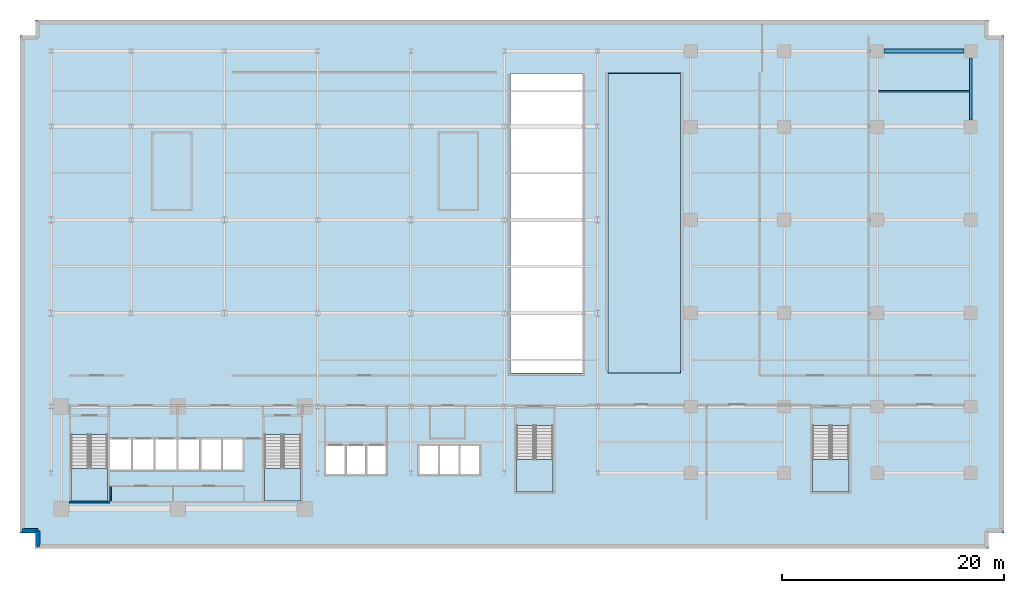
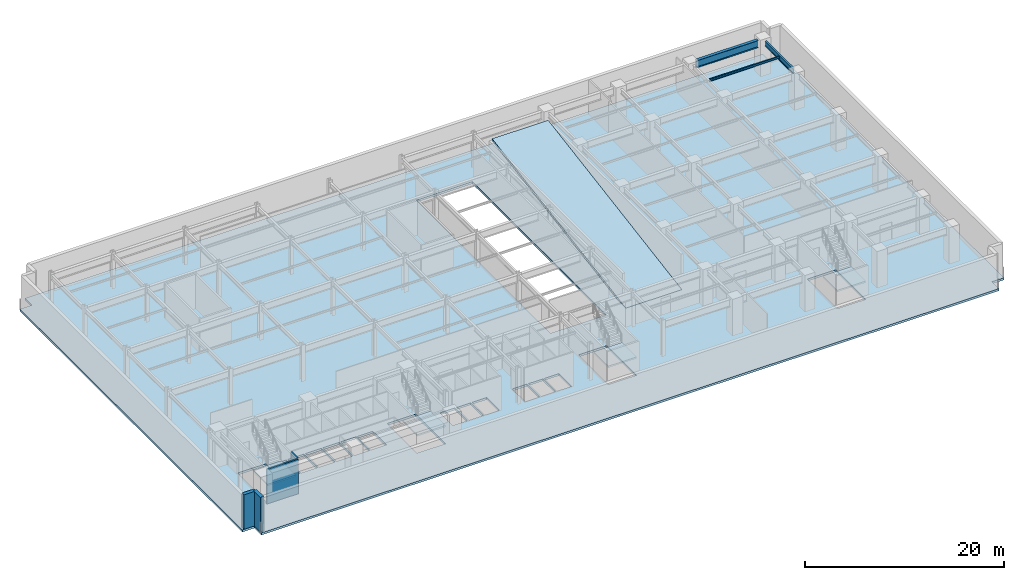
# One storey, part 5 of 14: 6 slabs, 4 walls, 3 beams, 4 elements without a shape of their own.
"""IFC4 building model written with IfcOpenShell, lengths in metres."""

from ifc_helpers import new_model, si_unit, direction, frame, frame_2d, origin, origin_2d, place, context, subcontext, project, spatial, polyline, rectangle, i_section, outline, extrude, material, layer, layer_set, material_profile, profile_set, type_object, element, aggregate, save


model = new_model("IFC4")

# Units and contexts
model_context = context("Model", 3, precision=1e-05, world=origin(), true_north=direction((0.0, 1.0)))
body_context = subcontext(model_context, "Body", "Model", "MODEL_VIEW")
ifc_project = project(units=[si_unit("LENGTHUNIT", "METRE"), si_unit("AREAUNIT", "SQUARE_METRE"), si_unit("VOLUMEUNIT", "CUBIC_METRE"), si_unit("PLANEANGLEUNIT", "RADIAN"), si_unit("MASSUNIT", "GRAM", prefix="KILO")], contexts=[model_context])

# Site, building, storey
site_placement = place(None, origin())
site = spatial("IfcSite", under=ifc_project, at=site_placement, CompositionType="ELEMENT")
building_placement = place(site_placement, origin())
building = spatial("IfcBuilding", under=site, at=building_placement, Name="Varnakote Quay Hospital", CompositionType="ELEMENT")
storey_placement = place(building_placement, frame((0.0, 0.0, -4.5)))
storey = spatial("IfcBuildingStorey", under=building, at=storey_placement, Name="B01", CompositionType="ELEMENT", Elevation=-4.5)

# Beams
ifc_material_1 = material(Name="Structural steel AS/NZS 3679.1 Grade 350 L0 (fy 340 MPa)", Category="steel")
ifc_material_profile_1 = material_profile(ifc_material_1, i_section(OverallWidth=0.22802734375, OverallDepth=0.60205078125, WebThickness=0.010498046875, FlangeThickness=0.014892578125, FilletRadius=0.013916015625, at=origin_2d()), Name="610UB101")
ifc_profile_set_1 = profile_set([ifc_material_profile_1], Name="Structural steel AS/NZS 3679.1 Grade 350 L0 (fy 340 MPa)")
beam_type_1 = type_object("IfcBeamType", Name="BM-STL-610UB101", PredefinedType="BEAM", material=ifc_profile_set_1)
beam_1_placement = place(storey_placement, frame((84.0, 37.800048828125, 3.948974609375), z_axis=(0.0, 1.0, 0.0), x_axis=(-1.0, 0.0, 0.0)))
element("IfcBeam", 1, at=beam_1_placement, inside=storey, type_object=beam_type_1, Name="B01 Primary Tie Beam", PredefinedType="BEAM", context=body_context, shape_type="SweptSolid", body=[
    extrude(i_section(OverallWidth=0.22802734375, OverallDepth=0.60205078125, WebThickness=0.010498046875, FlangeThickness=0.014892578125, FilletRadius=0.013916015625, at=origin_2d()), origin(), (0.0, 0.0, 1.0), 5.599853515625),
])
ifc_material_2 = material(Name="Structural steel AS/NZS 3678 Grade 350 (fy 340 MPa)", Category="steel")
ifc_material_profile_2 = material_profile(ifc_material_2, i_section(OverallWidth=0.35009765625, OverallDepth=0.909912109375, WebThickness=0.011962890625, FlangeThickness=0.02490234375, at=origin_2d()), Name="900WB218")
ifc_profile_set_2 = profile_set([ifc_material_profile_2], Name="Structural steel AS/NZS 3678 Grade 350 (fy 340 MPa)")
beam_type_2 = type_object("IfcBeamType", Name="BM-STL-900WB218", PredefinedType="BEAM", material=ifc_profile_set_2)
beam_2_placement = place(storey_placement, frame((76.199951171875, 44.0, 3.794921875), z_axis=(1.0, 0.0, 0.0), x_axis=(0.0, 1.0, 0.0)))
element("IfcBeam", 2, at=beam_2_placement, inside=storey, type_object=beam_type_2, Name="B01 Primary Floor Beam", PredefinedType="BEAM", context=body_context, shape_type="SweptSolid", body=[
    extrude(i_section(OverallWidth=0.35009765625, OverallDepth=0.909912109375, WebThickness=0.011962890625, FlangeThickness=0.02490234375, at=origin_2d()), origin(), (0.0, 0.0, 1.0), 7.199951171875),
])
ifc_material_3 = material(Name="Structural steel AS/NZS 3679.1 Grade 350 L0 (fy 340 MPa)", Category="steel")
ifc_material_profile_3 = material_profile(ifc_material_3, i_section(OverallWidth=0.14599609375, OverallDepth=0.256103515625, WebThickness=0.00634765625, FlangeThickness=0.010986328125, FilletRadius=0.0087890625, at=origin_2d()), Name="250UB37.3")
ifc_profile_set_3 = profile_set([ifc_material_profile_3], Name="Structural steel AS/NZS 3679.1 Grade 350 L0 (fy 340 MPa)")
beam_type_3 = type_object("IfcBeamType", Name="JST-STL-250UB37-3", PredefinedType="JOIST", material=ifc_profile_set_3)
beam_3_placement = place(storey_placement, frame((75.714111328125, 40.39990234375, 4.1220703125), z_axis=(1.0, 0.0, 0.0), x_axis=(0.0, 1.0, 0.0)))
element("IfcBeam", 3, at=beam_3_placement, inside=storey, type_object=beam_type_3, Name="B01 Composite Floor Joist", PredefinedType="JOIST", context=body_context, shape_type="SweptSolid", body=[
    extrude(i_section(OverallWidth=0.14599609375, OverallDepth=0.256103515625, WebThickness=0.00634765625, FlangeThickness=0.010986328125, FilletRadius=0.0087890625, at=origin_2d()), origin(), (0.0, 0.0, 1.0), 8.171875),
])

# Slabs
ifc_material_4 = material(Name="Concrete N50 (f'c 50 MPa)", Category="concrete")
ifc_layer_1 = layer(ifc_material_4, 0.260009765625)
ifc_layer_set_1 = layer_set([ifc_layer_1], Name="Concrete N50 (f'c 50 MPa)")
slab_type_1 = type_object("IfcSlabType", Name="SLB-BSMT-260", PredefinedType="FLOOR", material=ifc_layer_set_1)
slab_1_placement = place(storey_placement, frame((0.0, 0.0, -0.260009765625)))
element("IfcSlab", 4, at=slab_1_placement, inside=storey, type_object=slab_type_1, Name="B01 Primary Floor Slab", PredefinedType="FLOOR", context=body_context, shape_type="SweptSolid", body=[
    extrude(outline(polyline([(-1.60009765625, 0.60009765625), (-0.199951171875, 0.60009765625), (-0.199951171875, -0.800048828125), (85.60009765625, -0.800048828125), (85.60009765625, 0.60009765625), (87.0, 0.60009765625), (87.0, 45.39990234375), (85.60009765625, 45.39990234375), (85.60009765625, 46.800048828125), (-0.199951171875, 46.800048828125), (-0.199951171875, 45.39990234375), (-1.60009765625, 45.39990234375), (-1.60009765625, 0.60009765625)]), holes=[polyline([(3.0, 3.5), (6.300048828125, 3.5), (6.300048828125, 9.49951171875), (3.0, 9.49951171875), (3.0, 3.5)]), polyline([(20.39990234375, 3.5), (23.699951171875, 3.5), (23.699951171875, 9.49951171875), (20.39990234375, 9.49951171875), (20.39990234375, 3.5)]), polyline([(43.10009765625, 4.300048828125), (46.39990234375, 4.300048828125), (46.39990234375, 10.29931640625), (43.10009765625, 10.29931640625), (43.10009765625, 4.300048828125)]), polyline([(69.75, 4.300048828125), (73.050048828125, 4.300048828125), (73.050048828125, 10.29931640625), (69.75, 10.29931640625), (69.75, 4.300048828125)]), polyline([(6.5, 6.300048828125), (8.39990234375, 6.300048828125), (8.39990234375, 9.050048828125), (6.5, 9.050048828125), (6.5, 6.300048828125)]), polyline([(8.550048828125, 6.300048828125), (10.449951171875, 6.300048828125), (10.449951171875, 9.050048828125), (8.550048828125, 9.050048828125), (8.550048828125, 6.300048828125)]), polyline([(10.60009765625, 6.300048828125), (12.5, 6.300048828125), (12.5, 9.050048828125), (10.60009765625, 9.050048828125), (10.60009765625, 6.300048828125)]), polyline([(12.64990234375, 6.300048828125), (14.550048828125, 6.300048828125), (14.550048828125, 9.050048828125), (12.64990234375, 9.050048828125), (12.64990234375, 6.300048828125)]), polyline([(14.699951171875, 6.300048828125), (16.5, 6.300048828125), (16.5, 9.050048828125), (14.699951171875, 9.050048828125), (14.699951171875, 6.300048828125)]), polyline([(16.64990234375, 6.300048828125), (18.449951171875, 6.300048828125), (18.449951171875, 9.050048828125), (16.64990234375, 9.050048828125), (16.64990234375, 6.300048828125)]), polyline([(25.949951171875, 5.89990234375), (27.64990234375, 5.89990234375), (27.64990234375, 8.449951171875), (25.949951171875, 8.449951171875), (25.949951171875, 5.89990234375)]), polyline([(27.800048828125, 5.89990234375), (29.5, 5.89990234375), (29.5, 8.449951171875), (27.800048828125, 8.449951171875), (27.800048828125, 5.89990234375)]), polyline([(29.64990234375, 5.89990234375), (31.35009765625, 5.89990234375), (31.35009765625, 8.449951171875), (29.64990234375, 8.449951171875), (29.64990234375, 5.89990234375)]), polyline([(34.35009765625, 5.89990234375), (36.050048828125, 5.89990234375), (36.050048828125, 8.449951171875), (34.35009765625, 8.449951171875), (34.35009765625, 5.89990234375)]), polyline([(36.199951171875, 5.89990234375), (37.89990234375, 5.89990234375), (37.89990234375, 8.449951171875), (36.199951171875, 8.449951171875), (36.199951171875, 5.89990234375)]), polyline([(38.050048828125, 5.89990234375), (39.75, 5.89990234375), (39.75, 8.449951171875), (38.050048828125, 8.449951171875), (38.050048828125, 5.89990234375)]), polyline([(42.550048828125, 15.00048828125), (49.050048828125, 15.00048828125), (49.050048828125, 41.99951171875), (42.550048828125, 41.99951171875), (42.550048828125, 15.00048828125)])]), origin(), (0.0, 0.0, 1.0), 0.260009765625),
])
ifc_material_5 = material(Name="Concrete N40 (f'c 40 MPa)", Category="concrete")
ifc_layer_2 = layer(ifc_material_5, 0.260009765625)
ifc_layer_set_2 = layer_set([ifc_layer_2], Name="Concrete N40 (f'c 40 MPa)")
slab_type_2 = type_object("IfcSlabType", Name="SLB-RAMP-N40-260", PredefinedType="FLOOR", material=ifc_layer_set_2)
slab_2_placement = place(storey_placement, frame((51.340087890625, 15.030029296875, 0.0), z_axis=(0.0, -0.164755552665, 0.986334430032), x_axis=(1.0, 0.0, 0.0)))
element("IfcSlab", 5, at=slab_2_placement, inside=storey, type_object=slab_type_2, Name="Car Park Portal Vehicle Ramp R2 Structural Slab", PredefinedType="FLOOR", context=body_context, shape_type="SweptSolid", body=[
    extrude(outline(polyline([(0.0, 0.0), (6.52001953125, 0.0), (6.52001953125, 27.313191739014748), (0.0, 27.313191739014748), (0.0, 0.0)])), origin(), (0.0, 0.0, -1.0), 0.260009765625),
])

# Stair, slab
ifc_material_6 = material(Name="Concrete N40 (f'c 40 MPa)", Category="concrete")
stair_type = type_object("IfcStairType", Name="STR-CORE-1580", PredefinedType="HALF_TURN_STAIR", material=ifc_material_6)
stair_1_placement = place(storey_placement, origin())
stair_1 = element("IfcStair", 6, at=stair_1_placement, inside=storey, type_object=stair_type, Name="B01 Fire-Isolated Exit Stair ST-01", PredefinedType="HALF_TURN_STAIR")
ifc_material_7 = material(Name="Concrete N40 (f'c 40 MPa)", Category="concrete")
ifc_layer_3 = layer(ifc_material_7, 0.199951171875)
ifc_layer_set_3 = layer_set([ifc_layer_3], Name="Concrete N40 (f'c 40 MPa)")
slab_type_3 = type_object("IfcSlabType", Name="SLB-STAIR-LND-200", PredefinedType="LANDING", material=ifc_layer_set_3)
slab_3_placement = place(storey_placement, frame((0.0, 0.0, 2.050048828125)))
slab_3 = element("IfcSlab", 7, at=slab_3_placement, type_object=slab_type_3, Name="ST-01 landing 1", PredefinedType="LANDING", context=body_context, shape_type="SweptSolid", body=[
    extrude(outline(polyline([(3.0, 6.419921875), (3.0, 3.5), (6.300048828125, 3.5), (6.300048828125, 6.419921875), (3.0, 6.419921875)])), origin(), (0.0, 0.0, 1.0), 0.199951171875),
])
aggregate(stair_1, [slab_3])

stair_2_placement = place(storey_placement, origin())
stair_2 = element("IfcStair", 8, at=stair_2_placement, inside=storey, type_object=stair_type, Name="B01 Fire-Isolated Exit Stair ST-02", PredefinedType="HALF_TURN_STAIR")
slab_4_placement = place(storey_placement, frame((0.0, 0.0, 2.050048828125)))
slab_4 = element("IfcSlab", 9, at=slab_4_placement, type_object=slab_type_3, Name="ST-02 landing 1", PredefinedType="LANDING", context=body_context, shape_type="SweptSolid", body=[
    extrude(outline(polyline([(20.39990234375, 6.419921875), (20.39990234375, 3.5), (23.699951171875, 3.5), (23.699951171875, 6.419921875), (20.39990234375, 6.419921875)])), origin(), (0.0, 0.0, 1.0), 0.199951171875),
])
aggregate(stair_2, [slab_4])

stair_3_placement = place(storey_placement, origin())
stair_3 = element("IfcStair", 10, at=stair_3_placement, inside=storey, type_object=stair_type, Name="B01 Fire-Isolated Exit Stair ST-03", PredefinedType="HALF_TURN_STAIR")
slab_5_placement = place(storey_placement, frame((0.0, 0.0, 2.050048828125)))
slab_5 = element("IfcSlab", 11, at=slab_5_placement, type_object=slab_type_3, Name="ST-03 landing 1", PredefinedType="LANDING", context=body_context, shape_type="SweptSolid", body=[
    extrude(outline(polyline([(43.10009765625, 7.219970703125), (43.10009765625, 4.300048828125), (46.39990234375, 4.300048828125), (46.39990234375, 7.219970703125), (43.10009765625, 7.219970703125)])), origin(), (0.0, 0.0, 1.0), 0.199951171875),
])
aggregate(stair_3, [slab_5])

stair_4_placement = place(storey_placement, origin())
stair_4 = element("IfcStair", 12, at=stair_4_placement, inside=storey, type_object=stair_type, Name="B01 East Podium Fire-Isolated Exit Stair ST-06", PredefinedType="HALF_TURN_STAIR")
slab_6_placement = place(storey_placement, frame((0.0, 0.0, 2.050048828125)))
slab_6 = element("IfcSlab", 13, at=slab_6_placement, type_object=slab_type_3, Name="ST-06 landing 1", PredefinedType="LANDING", context=body_context, shape_type="SweptSolid", body=[
    extrude(outline(polyline([(69.75, 7.219970703125), (69.75, 4.300048828125), (73.050048828125, 4.300048828125), (73.050048828125, 7.219970703125), (69.75, 7.219970703125)])), origin(), (0.0, 0.0, 1.0), 0.199951171875),
])
aggregate(stair_4, [slab_6])

# Walls
ifc_material_8 = material(Name="Concrete N40 (f'c 40 MPa)", Category="concrete")
ifc_layer_4 = layer(ifc_material_8, 0.39990234375)
ifc_layer_set_4 = layer_set([ifc_layer_4], Name="Concrete N40 (f'c 40 MPa)")
wall_type_1 = type_object("IfcWallType", Name="WL-BSMT-RET-400", PredefinedType="STANDARD", material=ifc_layer_set_4)
wall_1_placement = place(storey_placement, frame((0.0, 0.800048828125, 0.0), z_axis=(0.0, 0.0, 1.0), x_axis=(0.0, -1.0, 0.0)))
element("IfcWall", 14, at=wall_1_placement, inside=storey, type_object=wall_type_1, Name="B01 Tanked Basement Retaining Wall", PredefinedType="STANDARD", context=body_context, shape_type="SweptSolid", body=[
    extrude(rectangle(XDim=1.400146484375, YDim=0.39990234375, at=frame_2d((0.7001953125, 0.0))), origin(), (0.0, 0.0, 1.0), 4.25),
])
wall_2_placement = place(storey_placement, frame((-1.39990234375, 0.800048828125, 0.0), z_axis=(0.0, 0.0, 1.0), x_axis=(1.0, 0.0, 0.0)))
element("IfcWall", 15, at=wall_2_placement, inside=storey, type_object=wall_type_1, Name="B01 Tanked Basement Retaining Wall", PredefinedType="STANDARD", context=body_context, shape_type="SweptSolid", body=[
    extrude(rectangle(XDim=1.39990234375, YDim=0.39990234375, at=frame_2d((0.699951171875, 0.0))), origin(), (0.0, 0.0, 1.0), 4.25),
])
ifc_material_9 = material(Name="Concrete N50 (f'c 50 MPa)", Category="concrete")
ifc_layer_5 = layer(ifc_material_9, 0.199951171875)
ifc_layer_set_5 = layer_set([ifc_layer_5], Name="Concrete N50 (f'c 50 MPa)")
wall_type_2 = type_object("IfcWallType", Name="WL-SHAFT-N50-200", PredefinedType="SHEAR", material=ifc_layer_set_5)
wall_3_placement = place(storey_placement, frame((2.800048828125, 3.39990234375, 0.0), z_axis=(0.0, 0.0, 1.0), x_axis=(1.0, 0.0, 0.0)))
element("IfcWall", 16, at=wall_3_placement, inside=storey, type_object=wall_type_2, Name="B01 Stair ST1 South Shaft Wall", PredefinedType="SHEAR", context=body_context, shape_type="SweptSolid", body=[
    extrude(rectangle(XDim=3.699951171875, YDim=0.199951171875, at=frame_2d((1.85009765625, 0.0))), origin(), (0.0, 0.0, 1.0), 4.25),
])
ifc_material_10 = material(Name="Smoke-proof clinical partition", Category="gypsum")
ifc_layer_6 = layer(ifc_material_10, 0.1201171875)
ifc_layer_set_6 = layer_set([ifc_layer_6], Name="Smoke-proof clinical partition")
wall_type_3 = type_object("IfcWallType", Name="WL-SMOKE-120", PredefinedType="PARTITIONING", material=ifc_layer_set_6)
wall_4_placement = place(storey_placement, frame((6.56005859375, 3.52001953125, 0.0), z_axis=(0.0, 0.0, 1.0), x_axis=(0.0, 1.0, 0.0)))
element("IfcWall", 17, at=wall_4_placement, inside=storey, type_object=wall_type_3, Name="B01 Core South Service West Wall", PredefinedType="PARTITIONING", context=body_context, shape_type="SweptSolid", body=[
    extrude(rectangle(XDim=1.260009765625, YDim=0.1201171875, at=frame_2d((0.6298828125, 0.0))), origin(), (0.0, 0.0, 1.0), 4.25),
])

save(model, "model.ifc")
